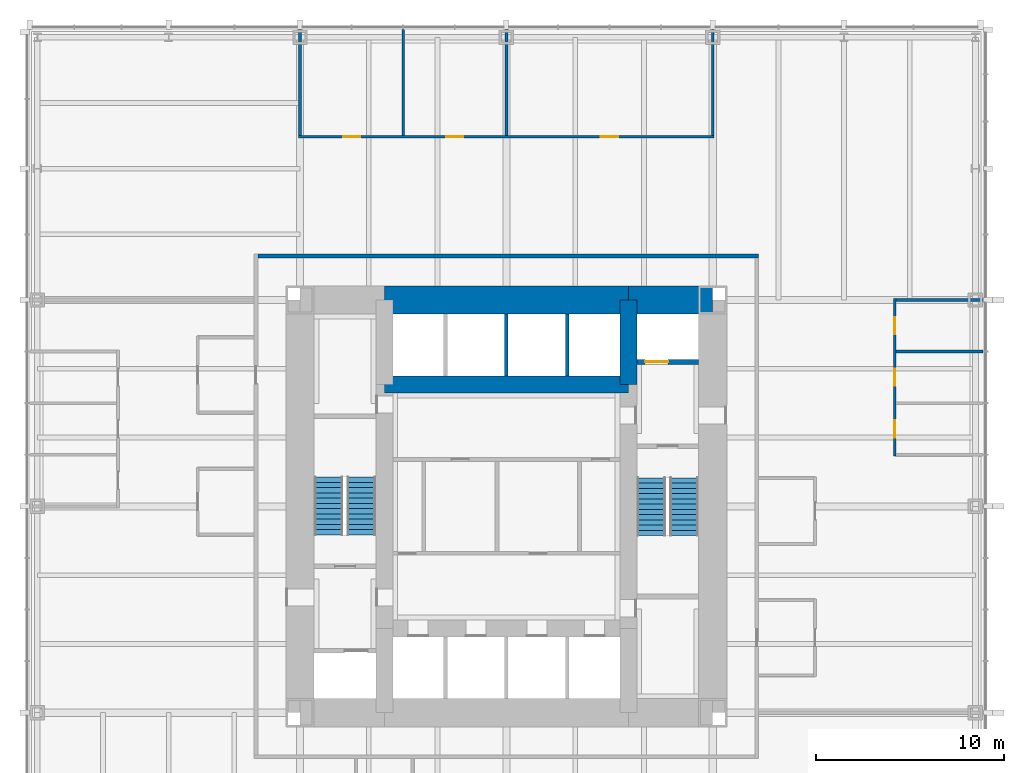
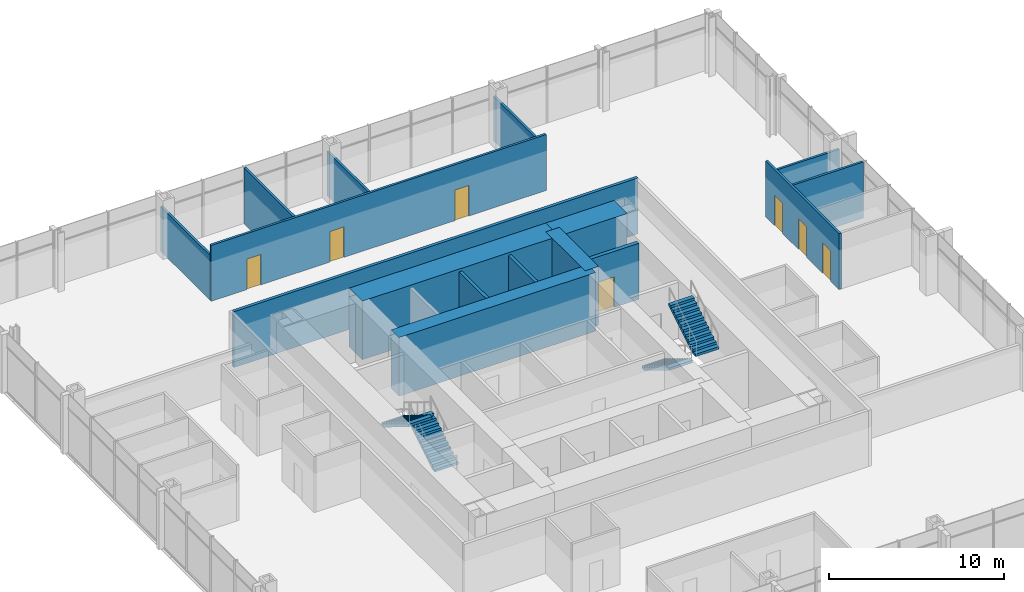
# One storey, part 11 of 12: 16 walls, 7 doors, 4 stair flights, 7 openings, 2 elements without a shape of their own.
"""IFC4 building model written with IfcOpenShell, lengths in metres."""

from ifc_helpers import new_model, si_unit, direction, frame, frame_2d, origin, place, context, subcontext, project, spatial, polyline, rectangle, outline, extrude, material, layer, layer_set, type_object, element, fill, aggregate, save


model = new_model("IFC4")

# Units and contexts
model_context = context("Model", 3, precision=1e-05, world=origin(), true_north=direction((0.0, 1.0)))
body_context = subcontext(model_context, "Body", "Model", "MODEL_VIEW")
ifc_project = project(units=[si_unit("LENGTHUNIT", "METRE"), si_unit("AREAUNIT", "SQUARE_METRE"), si_unit("VOLUMEUNIT", "CUBIC_METRE"), si_unit("PLANEANGLEUNIT", "RADIAN"), si_unit("MASSUNIT", "GRAM", prefix="KILO")], contexts=[model_context])

# Site, building, storey
site_placement = place(None, origin())
site = spatial("IfcSite", under=ifc_project, at=site_placement, CompositionType="ELEMENT")
building_placement = place(site_placement, origin())
building = spatial("IfcBuilding", under=site, at=building_placement, Name="Trevanion Tower", CompositionType="ELEMENT")
storey_placement = place(building_placement, frame((0.0, 0.0, 57.0)))
storey = spatial("IfcBuildingStorey", under=building, at=storey_placement, Name="L13", CompositionType="ELEMENT", Elevation=57.0)

# Walls
ifc_material_1 = material(Name="Concrete 10,000 psi", Category="concrete")
ifc_layer_1 = layer(ifc_material_1, 1.5)
ifc_layer_set_1 = layer_set([ifc_layer_1], Name="CW1 core wall 1500")
wall_type_1 = type_object("IfcWallType", Name="CW1 core wall 1500", PredefinedType="SHEAR", material=ifc_layer_set_1)
wall_1_placement = place(storey_placement, frame((11.0, 11.0, 0.0), z_axis=(0.0, 0.0, 1.0), x_axis=(-1.0, 0.0, 0.0)))
element("IfcWall", 1, at=wall_1_placement, inside=storey, type_object=wall_type_1, Name="CW1 CN1 L13", PredefinedType="SHEAR", context=body_context, shape_type="SweptSolid", body=[
    extrude(rectangle(XDim=4.5, YDim=1.5, at=frame_2d((2.25, 0.0))), origin(), (0.0, 0.0, 1.0), 4.10009765625),
])
wall_2_placement = place(storey_placement, frame((6.5, 11.0, 0.0), z_axis=(0.0, 0.0, 1.0), x_axis=(-1.0, 0.0, 0.0)))
element("IfcWall", 2, at=wall_2_placement, inside=storey, type_object=wall_type_1, Name="CW1 CN2 L13", PredefinedType="SHEAR", context=body_context, shape_type="SweptSolid", body=[
    extrude(rectangle(XDim=13.0, YDim=1.5, at=frame_2d((6.5, 0.0))), origin(), (0.0, 0.0, 1.0), 4.10009765625),
])
ifc_material_2 = material(Name="Concrete 10,000 psi", Category="concrete")
ifc_layer_2 = layer(ifc_material_2, 0.89990234375)
ifc_layer_set_2 = layer_set([ifc_layer_2], Name="CW2 core wall 900")
wall_type_2 = type_object("IfcWallType", Name="CW2 core wall 900", PredefinedType="SHEAR", material=ifc_layer_set_2)
wall_3_placement = place(storey_placement, frame((6.5, 6.5, 0.0), z_axis=(0.0, 0.0, 1.0), x_axis=(0.0, 1.0, 0.0)))
element("IfcWall", 3, at=wall_3_placement, inside=storey, type_object=wall_type_2, Name="CW2 RE3 L13", PredefinedType="SHEAR", context=body_context, shape_type="SweptSolid", body=[
    extrude(rectangle(XDim=4.5, YDim=0.89990234375, at=frame_2d((2.25, 0.0))), origin(), (0.0, 0.0, 1.0), 4.10009765625),
])
wall_4_placement = place(storey_placement, frame((6.5, 6.5, 0.0), z_axis=(0.0, 0.0, 1.0), x_axis=(-1.0, 0.0, 0.0)))
element("IfcWall", 4, at=wall_4_placement, inside=storey, type_object=wall_type_2, Name="CW2 RN L13", PredefinedType="SHEAR", context=body_context, shape_type="SweptSolid", body=[
    extrude(rectangle(XDim=13.0, YDim=0.89990234375, at=frame_2d((6.5, 0.0))), origin(), (0.0, 0.0, 1.0), 4.10009765625),
])

# Wall, openings, doors
ifc_material_3 = material(Name="Gypsum board on steel studs", Category="steel")
ifc_layer_3 = layer(ifc_material_3, 0.14990234375)
ifc_layer_set_3 = layer_set([ifc_layer_3], Name="PT1 partition 150")
wall_type_3 = type_object("IfcWallType", Name="PT1 partition 150", PredefinedType="PARTITIONING", material=ifc_layer_set_3)
wall_5_placement = place(storey_placement, frame((11.074951171875, 19.699951171875, 0.0), z_axis=(0.0, 0.0, 1.0), x_axis=(-1.0, 0.0, 0.0)))
wall_5 = element("IfcWall", 5, at=wall_5_placement, inside=storey, type_object=wall_type_3, Name="PT1 L13 FC1F", PredefinedType="PARTITIONING", context=body_context, shape_type="SweptSolid", body=[
    extrude(rectangle(XDim=22.14990234375, YDim=0.14990234375, at=frame_2d((11.074951171875, 0.0))), origin(), (0.0, 0.0, 1.0), 3.909912109375),
])
opening_1_placement = place(wall_5_placement, frame((5.117431640625, 0.0, 0.0)))
opening_1 = element("IfcOpeningElement", 6, at=opening_1_placement, cuts=wall_5, Name="Opening 13-019", PredefinedType="OPENING", context=body_context, shape_type="SweptSolid", body=[
    extrude(rectangle(XDim=0.9150390625, YDim=2.134033203125, at=frame_2d((0.45751953125, 1.06689453125))), frame((0.0, 0.0849609375, 0.0), z_axis=(0.0, -1.0, 0.0), x_axis=(1.0, 0.0, 0.0)), (0.0, 0.0, 1.0), 0.169921875),
])
opening_2_placement = place(wall_5_placement, frame((13.367431640625, 0.0, 0.0)))
opening_2 = element("IfcOpeningElement", 7, at=opening_2_placement, cuts=wall_5, Name="Opening 13-020", PredefinedType="OPENING", context=body_context, shape_type="SweptSolid", body=[
    extrude(rectangle(XDim=0.9150390625, YDim=2.134033203125, at=frame_2d((0.45751953125, 1.06689453125))), frame((0.0, 0.0849609375, 0.0), z_axis=(0.0, -1.0, 0.0), x_axis=(1.0, 0.0, 0.0)), (0.0, 0.0, 1.0), 0.169921875),
])
opening_3_placement = place(wall_5_placement, frame((18.867431640625, 0.0, 0.0)))
opening_3 = element("IfcOpeningElement", 8, at=opening_3_placement, cuts=wall_5, Name="Opening 13-021", PredefinedType="OPENING", context=body_context, shape_type="SweptSolid", body=[
    extrude(rectangle(XDim=0.9150390625, YDim=2.134033203125, at=frame_2d((0.45751953125, 1.06689453125))), frame((0.0, 0.0849609375, 0.0), z_axis=(0.0, -1.0, 0.0), x_axis=(1.0, 0.0, 0.0)), (0.0, 0.0, 1.0), 0.169921875),
])
ifc_material_4 = material(Name="Timber veneer, solid core", Category="wood")
door_type_1 = type_object("IfcDoorType", Name="D1 office and meeting room door", OperationType="SINGLE_SWING_LEFT", PredefinedType="DOOR", material=ifc_material_4)
door_1_placement = place(opening_1_placement, origin())
door_1 = element("IfcDoor", 9, at=door_1_placement, inside=storey, type_object=door_type_1, Name="Door 13-019", OperationType="SINGLE_SWING_LEFT", OverallHeight=2.134033203125, OverallWidth=0.9150390625, PredefinedType="DOOR", context=body_context, shape_type="SweptSolid", body=[
    extrude(rectangle(XDim=0.9150390625, YDim=2.134033203125, at=frame_2d((0.45751953125, 1.06689453125))), frame((0.0, 0.02490234375, 0.0), z_axis=(0.0, -1.0, 0.0), x_axis=(1.0, 0.0, 0.0)), (0.0, 0.0, 1.0), 0.050048828125),
])
fill(opening_1, door_1)
door_2_placement = place(opening_2_placement, origin())
door_2 = element("IfcDoor", 10, at=door_2_placement, inside=storey, type_object=door_type_1, Name="Door 13-020", OperationType="SINGLE_SWING_LEFT", OverallHeight=2.134033203125, OverallWidth=0.9150390625, PredefinedType="DOOR", context=body_context, shape_type="SweptSolid", body=[
    extrude(rectangle(XDim=0.9150390625, YDim=2.134033203125, at=frame_2d((0.45751953125, 1.06689453125))), frame((0.0, 0.02490234375, 0.0), z_axis=(0.0, -1.0, 0.0), x_axis=(1.0, 0.0, 0.0)), (0.0, 0.0, 1.0), 0.050048828125),
])
fill(opening_2, door_2)
door_3_placement = place(opening_3_placement, origin())
door_3 = element("IfcDoor", 11, at=door_3_placement, inside=storey, type_object=door_type_1, Name="Door 13-021", OperationType="SINGLE_SWING_LEFT", OverallHeight=2.134033203125, OverallWidth=0.9150390625, PredefinedType="DOOR", context=body_context, shape_type="SweptSolid", body=[
    extrude(rectangle(XDim=0.9150390625, YDim=2.134033203125, at=frame_2d((0.45751953125, 1.06689453125))), frame((0.0, 0.02490234375, 0.0), z_axis=(0.0, -1.0, 0.0), x_axis=(1.0, 0.0, 0.0)), (0.0, 0.0, 1.0), 0.050048828125),
])
fill(opening_3, door_3)

# Walls
for number, where, z_axis, x_axis, name in (
    (12, (11.0, 19.77490234375, 0.0), (0.0, 0.0, 1.0), (0.0, 1.0, 0.0), "PT1 L13 FC1S0"),
    (13, (0.0, 19.77490234375, 0.0), (0.0, 0.0, 1.0), (0.0, 1.0, 0.0), "PT1 L13 FC1S4"),
):
    element("IfcWall", number, at=place(storey_placement, frame(where, z_axis=z_axis, x_axis=x_axis)), inside=storey, type_object=wall_type_3, Name=name, PredefinedType="PARTITIONING", context=body_context, shape_type="SweptSolid", body=[
        extrude(rectangle(XDim=5.64013671875, YDim=0.14990234375, at=frame_2d((2.820068359375, 0.0))), origin(), (0.0, 0.0, 1.0), 3.130126953125),
    ])
wall_6_placement = place(storey_placement, frame((-5.5, 19.77490234375, 0.0), z_axis=(0.0, 0.0, 1.0), x_axis=(0.0, 1.0, 0.0)))
element("IfcWall", 14, at=wall_6_placement, inside=storey, type_object=wall_type_3, Name="PT1 L13 FC1S6", PredefinedType="PARTITIONING", context=body_context, shape_type="SweptSolid", body=[
    extrude(rectangle(XDim=5.64013671875, YDim=0.14990234375, at=frame_2d((2.820068359375, 0.0))), origin(), (0.0, 0.0, 1.0), 3.909912109375),
])
wall_7_placement = place(storey_placement, frame((-11.0, 19.77490234375, 0.0), z_axis=(0.0, 0.0, 1.0), x_axis=(0.0, 1.0, 0.0)))
element("IfcWall", 15, at=wall_7_placement, inside=storey, type_object=wall_type_3, Name="PT1 L13 FC1S8", PredefinedType="PARTITIONING", context=body_context, shape_type="SweptSolid", body=[
    extrude(rectangle(XDim=5.64013671875, YDim=0.14990234375, at=frame_2d((2.820068359375, 0.0))), origin(), (0.0, 0.0, 1.0), 3.130126953125),
])

# Wall, openings, doors
wall_8_placement = place(storey_placement, frame((20.699951171875, 2.675048828125, 0.0), z_axis=(0.0, 0.0, 1.0), x_axis=(0.0, 1.0, 0.0)))
wall_8 = element("IfcWall", 16, at=wall_8_placement, inside=storey, type_object=wall_type_3, Name="PT1 L13 FC0F", PredefinedType="PARTITIONING", context=body_context, shape_type="SweptSolid", body=[
    extrude(rectangle(XDim=8.39990234375, YDim=0.14990234375, at=frame_2d((4.199951171875, 0.0))), origin(), (0.0, 0.0, 1.0), 3.909912109375),
])
opening_4_placement = place(wall_8_placement, frame((0.992431640625, 0.0, 0.0)))
opening_4 = element("IfcOpeningElement", 17, at=opening_4_placement, cuts=wall_8, Name="Opening 13-024", PredefinedType="OPENING", context=body_context, shape_type="SweptSolid", body=[
    extrude(rectangle(XDim=0.9150390625, YDim=2.134033203125, at=frame_2d((0.45751953125, 1.06689453125))), frame((0.0, 0.0849609375, 0.0), z_axis=(0.0, -1.0, 0.0), x_axis=(1.0, 0.0, 0.0)), (0.0, 0.0, 1.0), 0.169921875),
])
opening_5_placement = place(wall_8_placement, frame((3.742431640625, 0.0, 0.0)))
opening_5 = element("IfcOpeningElement", 18, at=opening_5_placement, cuts=wall_8, Name="Opening 13-025", PredefinedType="OPENING", context=body_context, shape_type="SweptSolid", body=[
    extrude(rectangle(XDim=0.9150390625, YDim=2.134033203125, at=frame_2d((0.45751953125, 1.06689453125))), frame((0.0, 0.0849609375, 0.0), z_axis=(0.0, -1.0, 0.0), x_axis=(1.0, 0.0, 0.0)), (0.0, 0.0, 1.0), 0.169921875),
])
opening_6_placement = place(wall_8_placement, frame((6.492431640625, 0.0, 0.0)))
opening_6 = element("IfcOpeningElement", 19, at=opening_6_placement, cuts=wall_8, Name="Opening 13-026", PredefinedType="OPENING", context=body_context, shape_type="SweptSolid", body=[
    extrude(rectangle(XDim=0.9150390625, YDim=2.134033203125, at=frame_2d((0.45751953125, 1.06689453125))), frame((0.0, 0.0849609375, 0.0), z_axis=(0.0, -1.0, 0.0), x_axis=(1.0, 0.0, 0.0)), (0.0, 0.0, 1.0), 0.169921875),
])
door_4_placement = place(opening_4_placement, origin())
door_4 = element("IfcDoor", 20, at=door_4_placement, inside=storey, type_object=door_type_1, Name="Door 13-024", OperationType="SINGLE_SWING_LEFT", OverallHeight=2.134033203125, OverallWidth=0.9150390625, PredefinedType="DOOR", context=body_context, shape_type="SweptSolid", body=[
    extrude(rectangle(XDim=0.9150390625, YDim=2.134033203125, at=frame_2d((0.45751953125, 1.06689453125))), frame((0.0, 0.02490234375, 0.0), z_axis=(0.0, -1.0, 0.0), x_axis=(1.0, 0.0, 0.0)), (0.0, 0.0, 1.0), 0.050048828125),
])
fill(opening_4, door_4)
door_5_placement = place(opening_5_placement, origin())
door_5 = element("IfcDoor", 21, at=door_5_placement, inside=storey, type_object=door_type_1, Name="Door 13-025", OperationType="SINGLE_SWING_LEFT", OverallHeight=2.134033203125, OverallWidth=0.9150390625, PredefinedType="DOOR", context=body_context, shape_type="SweptSolid", body=[
    extrude(rectangle(XDim=0.9150390625, YDim=2.134033203125, at=frame_2d((0.45751953125, 1.06689453125))), frame((0.0, 0.02490234375, 0.0), z_axis=(0.0, -1.0, 0.0), x_axis=(1.0, 0.0, 0.0)), (0.0, 0.0, 1.0), 0.050048828125),
])
fill(opening_5, door_5)
door_6_placement = place(opening_6_placement, origin())
door_6 = element("IfcDoor", 22, at=door_6_placement, inside=storey, type_object=door_type_1, Name="Door 13-026", OperationType="SINGLE_SWING_LEFT", OverallHeight=2.134033203125, OverallWidth=0.9150390625, PredefinedType="DOOR", context=body_context, shape_type="SweptSolid", body=[
    extrude(rectangle(XDim=0.9150390625, YDim=2.134033203125, at=frame_2d((0.45751953125, 1.06689453125))), frame((0.0, 0.02490234375, 0.0), z_axis=(0.0, -1.0, 0.0), x_axis=(1.0, 0.0, 0.0)), (0.0, 0.0, 1.0), 0.050048828125),
])
fill(opening_6, door_6)

# Walls
wall_9_placement = place(storey_placement, frame((20.77490234375, 8.25, 0.0), z_axis=(0.0, 0.0, 1.0), x_axis=(1.0, 0.0, 0.0)))
element("IfcWall", 23, at=wall_9_placement, inside=storey, type_object=wall_type_3, Name="PT1 L13 FC0S2", PredefinedType="PARTITIONING", context=body_context, shape_type="SweptSolid", body=[
    extrude(rectangle(XDim=4.64013671875, YDim=0.14990234375, at=frame_2d((2.320068359375, 0.0))), origin(), (0.0, 0.0, 1.0), 3.909912109375),
])
wall_10_placement = place(storey_placement, frame((20.77490234375, 11.0, 0.0), z_axis=(0.0, 0.0, 1.0), x_axis=(1.0, 0.0, 0.0)))
element("IfcWall", 24, at=wall_10_placement, inside=storey, type_object=wall_type_3, Name="PT1 L13 FC0S3", PredefinedType="PARTITIONING", context=body_context, shape_type="SweptSolid", body=[
    extrude(rectangle(XDim=4.64013671875, YDim=0.14990234375, at=frame_2d((2.320068359375, 0.0))), origin(), (0.0, 0.0, 1.0), 3.130126953125),
])
ifc_material_5 = material(Name="Concrete masonry, grouted", Category="masonry")
ifc_layer_4 = layer(ifc_material_5, 0.199951171875)
ifc_layer_set_4 = layer_set([ifc_layer_4], Name="PT2 partition 200 1 HR")
wall_type_4 = type_object("IfcWallType", Name="PT2 partition 200 1 HR", PredefinedType="PARTITIONING", material=ifc_layer_set_4)
wall_11_placement = place(storey_placement, frame((13.449951171875, 13.35009765625, 0.0), z_axis=(0.0, 0.0, 1.0), x_axis=(-1.0, 0.0, 0.0)))
element("IfcWall", 25, at=wall_11_placement, inside=storey, type_object=wall_type_4, Name="PT2 L13 OC1", PredefinedType="PARTITIONING", context=body_context, shape_type="SweptSolid", body=[
    extrude(rectangle(XDim=26.699951171875, YDim=0.199951171875, at=frame_2d((13.35009765625, 0.0))), origin(), (0.0, 0.0, 1.0), 3.909912109375),
])
ifc_material_6 = material(Name="Concrete masonry, grouted", Category="masonry")
ifc_layer_5 = layer(ifc_material_6, 0.199951171875)
ifc_layer_set_5 = layer_set([ifc_layer_5], Name="PT2 partition 200 2 HR")
wall_type_5 = type_object("IfcWallType", Name="PT2 partition 200 2 HR", PredefinedType="PARTITIONING", material=ifc_layer_set_5)
for number, where, z_axis, x_axis, name in (
    (26, (0.0, 6.949951171875, 0.0), (0.0, 0.0, 1.0), (0.0, 1.0, 0.0), "PT2 L13 NS1"),
    (27, (3.25, 6.949951171875, 0.0), (0.0, 0.0, 1.0), (0.0, 1.0, 0.0), "PT2 L13 NS2"),
):
    element("IfcWall", number, at=place(storey_placement, frame(where, z_axis=z_axis, x_axis=x_axis)), inside=storey, type_object=wall_type_5, Name=name, PredefinedType="PARTITIONING", context=body_context, shape_type="SweptSolid", body=[
        extrude(rectangle(XDim=3.300048828125, YDim=0.199951171875, at=frame_2d((1.64990234375, 0.0))), origin(), (0.0, 0.0, 1.0), 3.909912109375),
    ])

# Wall, opening, door
ifc_material_7 = material(Name="Concrete masonry, grouted, two-hour", Category="masonry")
ifc_layer_6 = layer(ifc_material_7, 0.25)
ifc_layer_set_6 = layer_set([ifc_layer_6], Name="PT3 partition 250 2 HR")
wall_type_6 = type_object("IfcWallType", Name="PT3 partition 250 2 HR", PredefinedType="PARTITIONING", material=ifc_layer_set_6)
wall_12_placement = place(storey_placement, frame((6.949951171875, 7.699951171875, 0.0), z_axis=(0.0, 0.0, 1.0), x_axis=(1.0, 0.0, 0.0)))
wall_12 = element("IfcWall", 28, at=wall_12_placement, inside=storey, type_object=wall_type_6, Name="PT3 L13 EP3", PredefinedType="PARTITIONING", context=body_context, shape_type="SweptSolid", body=[
    extrude(rectangle(XDim=3.300048828125, YDim=0.25, at=frame_2d((1.64990234375, 0.0))), origin(), (0.0, 0.0, 1.0), 3.909912109375),
])
opening_7_placement = place(wall_12_placement, frame((0.449951171875, 0.0, 0.0)))
opening_7 = element("IfcOpeningElement", 29, at=opening_7_placement, cuts=wall_12, Name="Opening 13-007", PredefinedType="OPENING", context=body_context, shape_type="SweptSolid", body=[
    extrude(rectangle(XDim=1.218994140625, YDim=2.134033203125, at=frame_2d((0.609375, 1.06689453125))), frame((0.0, 0.135009765625, 0.0), z_axis=(0.0, -1.0, 0.0), x_axis=(1.0, 0.0, 0.0)), (0.0, 0.0, 1.0), 0.27001953125),
])
ifc_material_8 = material(Name="Stainless steel, fire rated", Category="steel")
door_type_2 = type_object("IfcDoorType", Name="LD2 fire service lift landing door", OperationType="SLIDING_TO_LEFT", PredefinedType="DOOR", material=ifc_material_8)
door_7_placement = place(opening_7_placement, origin())
door_7 = element("IfcDoor", 30, at=door_7_placement, inside=storey, type_object=door_type_2, Name="Door 13-007", OperationType="SLIDING_TO_LEFT", OverallHeight=2.134033203125, OverallWidth=1.218994140625, PredefinedType="DOOR", context=body_context, shape_type="SweptSolid", body=[
    extrude(rectangle(XDim=1.218994140625, YDim=2.134033203125, at=frame_2d((0.609375, 1.06689453125))), frame((0.0, 0.02490234375, 0.0), z_axis=(0.0, -1.0, 0.0), x_axis=(1.0, 0.0, 0.0)), (0.0, 0.0, 1.0), 0.050048828125),
])
fill(opening_7, door_7)

# Stair, stair flights
ifc_material_9 = material(Name="Concrete 5,000 psi on steel stringers", Category="concrete")
stair_type = type_object("IfcStairType", Name="ST stair", PredefinedType="HALF_TURN_STAIR", material=ifc_material_9)
stair_1_placement = place(storey_placement, origin())
stair_1 = element("IfcStair", 31, at=stair_1_placement, inside=storey, type_object=stair_type, Name="ST1 L13", PredefinedType="HALF_TURN_STAIR")
ifc_material_10 = material(Name="Concrete 5,000 psi in steel pan", Category="concrete")
stair_flight_type = type_object("IfcStairFlightType", Name="STF stair flight", PredefinedType="STRAIGHT", material=ifc_material_10)
stair_flight_1_placement = place(storey_placement, frame((7.72509765625, 1.52490234375, 0.0), z_axis=(0.0, 0.0, 1.0), x_axis=(0.0, -1.0, 0.0)))
stair_flight_1 = element("IfcStairFlight", 32, at=stair_flight_1_placement, type_object=stair_flight_type, Name="ST1 flight 1", NumberOfRisers=12, NumberOfTreads=11, PredefinedType="STRAIGHT", RiserHeight=0.170833333, TreadLength=0.28, context=body_context, shape_type="SweptSolid", body=[
    extrude(outline(polyline([(0.0, 0.0), (0.0, 0.1708984375), (0.280029296875, 0.1708984375), (0.280029296875, 0.341552734375), (0.56005859375, 0.341552734375), (0.56005859375, 0.512451171875), (0.840087890625, 0.512451171875), (0.840087890625, 0.683349609375), (1.1201171875, 0.683349609375), (1.1201171875, 0.854248046875), (1.39990234375, 0.854248046875), (1.39990234375, 1.02490234375), (1.679931640625, 1.02490234375), (1.679931640625, 1.19580078125), (1.9599609375, 1.19580078125), (1.9599609375, 1.36669921875), (2.239990234375, 1.36669921875), (2.239990234375, 1.53759765625), (2.52001953125, 1.53759765625), (2.52001953125, 1.708251953125), (2.800048828125, 1.708251953125), (2.800048828125, 1.879150390625), (3.080078125, 1.879150390625), (3.080078125, 2.050048828125), (3.080078125, 1.70361328125), (0.287841796875, 0.0), (0.0, 0.0)])), frame((0.0, 0.77490234375, 0.0), z_axis=(0.0, -1.0, 0.0), x_axis=(1.0, 0.0, 0.0)), (0.0, 0.0, 1.0), 1.550048828125),
])
stair_flight_2_placement = place(storey_placement, frame((9.47509765625, -1.554931640625, 2.050048828125), z_axis=(0.0, 0.0, 1.0), x_axis=(0.0, 1.0, 0.0)))
stair_flight_2 = element("IfcStairFlight", 33, at=stair_flight_2_placement, type_object=stair_flight_type, Name="ST1 flight 2", NumberOfRisers=12, NumberOfTreads=11, PredefinedType="STRAIGHT", RiserHeight=0.170833333, TreadLength=0.28, context=body_context, shape_type="SweptSolid", body=[
    extrude(outline(polyline([(0.0, 0.0), (0.0, 0.1708984375), (0.280029296875, 0.1708984375), (0.280029296875, 0.341552734375), (0.56005859375, 0.341552734375), (0.56005859375, 0.512451171875), (0.840087890625, 0.512451171875), (0.840087890625, 0.683349609375), (1.1201171875, 0.683349609375), (1.1201171875, 0.854248046875), (1.39990234375, 0.854248046875), (1.39990234375, 1.02490234375), (1.679931640625, 1.02490234375), (1.679931640625, 1.19580078125), (1.9599609375, 1.19580078125), (1.9599609375, 1.36669921875), (2.239990234375, 1.36669921875), (2.239990234375, 1.53759765625), (2.52001953125, 1.53759765625), (2.52001953125, 1.708251953125), (2.800048828125, 1.708251953125), (2.800048828125, 1.879150390625), (3.080078125, 1.879150390625), (3.080078125, 2.050048828125), (3.080078125, 1.70361328125), (0.287841796875, 0.0), (0.0, 0.0)])), frame((0.0, 0.77490234375, 0.0), z_axis=(0.0, -1.0, 0.0), x_axis=(1.0, 0.0, 0.0)), (0.0, 0.0, 1.0), 1.550048828125),
])
aggregate(stair_1, [stair_flight_1, stair_flight_2])

stair_2_placement = place(storey_placement, origin())
stair_2 = element("IfcStair", 34, at=stair_2_placement, inside=storey, type_object=stair_type, Name="ST2 L13", PredefinedType="HALF_TURN_STAIR")
stair_flight_3_placement = place(storey_placement, frame((-7.72509765625, -1.52490234375, 0.0), z_axis=(0.0, 0.0, 1.0), x_axis=(0.0, 1.0, 0.0)))
stair_flight_3 = element("IfcStairFlight", 35, at=stair_flight_3_placement, type_object=stair_flight_type, Name="ST2 flight 1", NumberOfRisers=12, NumberOfTreads=11, PredefinedType="STRAIGHT", RiserHeight=0.170833333, TreadLength=0.28, context=body_context, shape_type="SweptSolid", body=[
    extrude(outline(polyline([(0.0, 0.0), (0.0, 0.1708984375), (0.280029296875, 0.1708984375), (0.280029296875, 0.341552734375), (0.56005859375, 0.341552734375), (0.56005859375, 0.512451171875), (0.840087890625, 0.512451171875), (0.840087890625, 0.683349609375), (1.1201171875, 0.683349609375), (1.1201171875, 0.854248046875), (1.39990234375, 0.854248046875), (1.39990234375, 1.02490234375), (1.679931640625, 1.02490234375), (1.679931640625, 1.19580078125), (1.9599609375, 1.19580078125), (1.9599609375, 1.36669921875), (2.239990234375, 1.36669921875), (2.239990234375, 1.53759765625), (2.52001953125, 1.53759765625), (2.52001953125, 1.708251953125), (2.800048828125, 1.708251953125), (2.800048828125, 1.879150390625), (3.080078125, 1.879150390625), (3.080078125, 2.050048828125), (3.080078125, 1.70361328125), (0.287841796875, 0.0), (0.0, 0.0)])), frame((0.0, 0.77490234375, 0.0), z_axis=(0.0, -1.0, 0.0), x_axis=(1.0, 0.0, 0.0)), (0.0, 0.0, 1.0), 1.550048828125),
])
stair_flight_4_placement = place(storey_placement, frame((-9.47509765625, 1.554931640625, 2.050048828125), z_axis=(0.0, 0.0, 1.0), x_axis=(0.0, -1.0, 0.0)))
stair_flight_4 = element("IfcStairFlight", 36, at=stair_flight_4_placement, type_object=stair_flight_type, Name="ST2 flight 2", NumberOfRisers=12, NumberOfTreads=11, PredefinedType="STRAIGHT", RiserHeight=0.170833333, TreadLength=0.28, context=body_context, shape_type="SweptSolid", body=[
    extrude(outline(polyline([(0.0, 0.0), (0.0, 0.1708984375), (0.280029296875, 0.1708984375), (0.280029296875, 0.341552734375), (0.56005859375, 0.341552734375), (0.56005859375, 0.512451171875), (0.840087890625, 0.512451171875), (0.840087890625, 0.683349609375), (1.1201171875, 0.683349609375), (1.1201171875, 0.854248046875), (1.39990234375, 0.854248046875), (1.39990234375, 1.02490234375), (1.679931640625, 1.02490234375), (1.679931640625, 1.19580078125), (1.9599609375, 1.19580078125), (1.9599609375, 1.36669921875), (2.239990234375, 1.36669921875), (2.239990234375, 1.53759765625), (2.52001953125, 1.53759765625), (2.52001953125, 1.708251953125), (2.800048828125, 1.708251953125), (2.800048828125, 1.879150390625), (3.080078125, 1.879150390625), (3.080078125, 2.050048828125), (3.080078125, 1.70361328125), (0.287841796875, 0.0), (0.0, 0.0)])), frame((0.0, 0.77490234375, 0.0), z_axis=(0.0, -1.0, 0.0), x_axis=(1.0, 0.0, 0.0)), (0.0, 0.0, 1.0), 1.550048828125),
])
aggregate(stair_2, [stair_flight_3, stair_flight_4])

save(model, "model.ifc")
